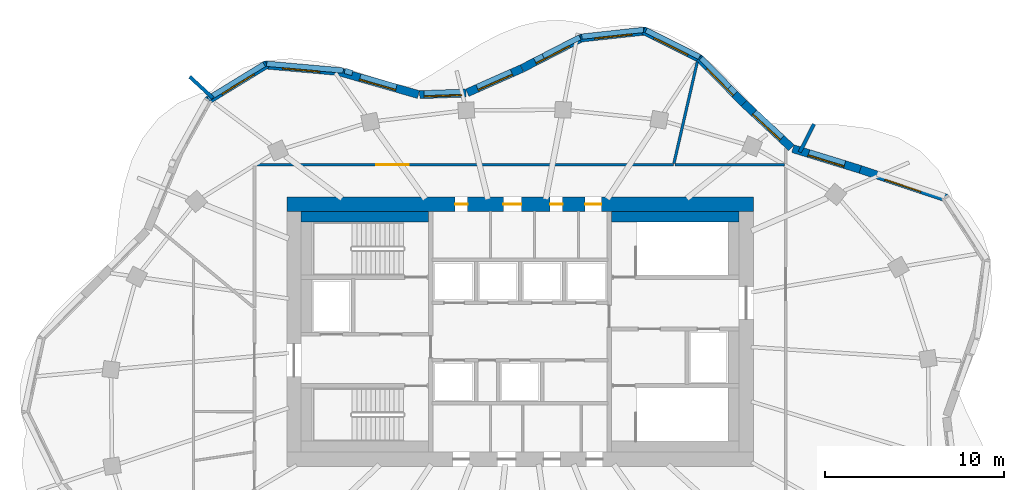
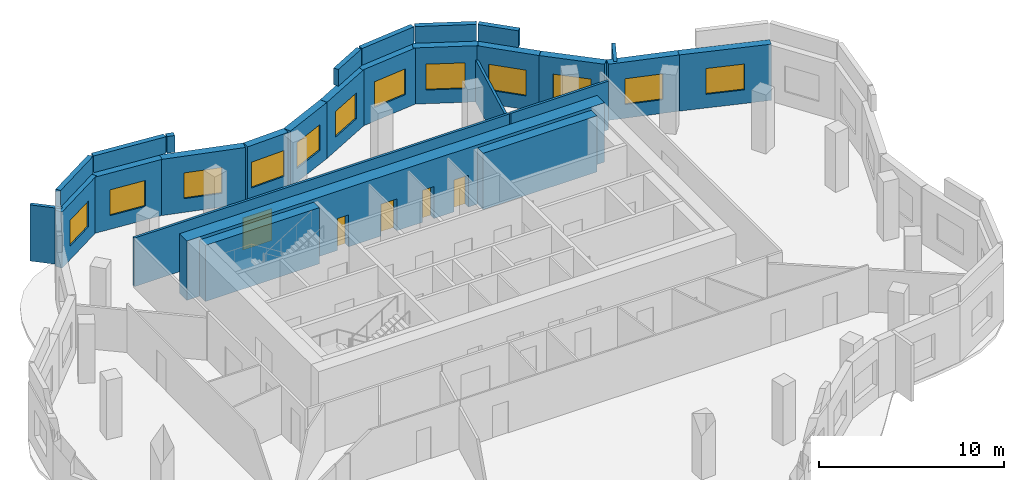
# One storey, part 7 of 9: 27 walls, 12 windows, 5 doors, 17 openings.
"""IFC4 building model written with IfcOpenShell, lengths in metres."""

from ifc_helpers import new_model, si_unit, direction, frame, frame_2d, origin, place, context, subcontext, project, spatial, rectangle, extrude, material, layer, layer_set, type_object, element, fill, save


model = new_model("IFC4")

# Units and contexts
model_context = context("Model", 3, precision=1e-05, world=origin(), true_north=direction((0.0, 1.0)))
body_context = subcontext(model_context, "Body", "Model", "MODEL_VIEW")
ifc_project = project(units=[si_unit("LENGTHUNIT", "METRE"), si_unit("AREAUNIT", "SQUARE_METRE"), si_unit("VOLUMEUNIT", "CUBIC_METRE"), si_unit("PLANEANGLEUNIT", "RADIAN"), si_unit("MASSUNIT", "GRAM", prefix="KILO")], contexts=[model_context])

# Site, building, storey
site_placement = place(None, origin())
site = spatial("IfcSite", under=ifc_project, at=site_placement, CompositionType="ELEMENT")
building_placement = place(site_placement, origin())
building = spatial("IfcBuilding", under=site, at=building_placement, Name="Rubra Terraces Tower", CompositionType="ELEMENT")
storey_placement = place(building_placement, frame((0.0, 0.0, 303.89990234375)))
storey = spatial("IfcBuildingStorey", under=building, at=storey_placement, Name="L75", CompositionType="ELEMENT", Elevation=303.89990234375)

# Wall, opening, window
ifc_material_1 = material(Name="Brick masonry red-brown", Category="masonry")
ifc_layer_1 = layer(ifc_material_1, 0.449951171875)
ifc_layer_set_1 = layer_set([ifc_layer_1], Name="Brick masonry red-brown")
wall_type_1 = type_object("IfcWallType", Name="Brick facade wall 450", PredefinedType="SOLIDWALL", material=ifc_layer_set_1)
wall_1_placement = place(storey_placement, frame((23.769775390625, 11.93798828125, 0.0), z_axis=(0.0, 0.0, 1.0), x_axis=(-0.948673679101, 0.316256621402, 0.0)))
wall_1 = element("IfcWall", 1, at=wall_1_placement, inside=storey, type_object=wall_type_1, Name="Facade wall L75 bay 4", PredefinedType="SOLIDWALL", context=body_context, shape_type="SweptSolid", body=[
    extrude(rectangle(XDim=5.076416015625, YDim=0.449951171875, at=frame_2d((2.5380859375, 0.0))), origin(), (0.0, 0.0, 1.0), 3.7001953125),
])
opening_1_placement = place(wall_1_placement, frame((1.48828125, 0.0, 0.89990234375)))
opening_1 = element("IfcOpeningElement", 2, at=opening_1_placement, cuts=wall_1, Name="Opening W1Y", PredefinedType="OPENING", context=body_context, shape_type="SweptSolid", body=[
    extrude(rectangle(XDim=2.10009765625, YDim=1.699951171875, at=frame_2d((1.050048828125, 0.85009765625))), frame((0.0, 0.23486328125, 0.0), z_axis=(0.0, -1.0, 0.0), x_axis=(1.0, 0.0, 0.0)), (0.0, 0.0, 1.0), 0.469970703125),
])
ifc_material_2 = material(Name="Clear glass in aluminium frame", Category="aluminium")
window_type = type_object("IfcWindowType", Name="Fixed deep-set window under crown ring girder 2100 x 1700", PartitioningType="SINGLE_PANEL", PredefinedType="WINDOW", material=ifc_material_2)
window_1_placement = place(opening_1_placement, origin())
window_1 = element("IfcWindow", 3, at=window_1_placement, inside=storey, type_object=window_type, Name="Window L75 bay 4", OverallHeight=1.699951171875, OverallWidth=2.10009765625, PartitioningType="SINGLE_PANEL", PredefinedType="WINDOW", context=body_context, shape_type="SweptSolid", body=[
    extrude(rectangle(XDim=2.10009765625, YDim=1.699951171875, at=frame_2d((1.050048828125, 0.85009765625))), frame((0.0, 0.135009765625, 0.0), z_axis=(0.0, -1.0, 0.0), x_axis=(1.0, 0.0, 0.0)), (0.0, 0.0, 1.0), 0.06005859375),
])
fill(opening_1, window_1)

wall_2_placement = place(storey_placement, frame((18.95751953125, 13.542236328125, 0.0), z_axis=(0.0, 0.0, 1.0), x_axis=(-0.955792437529, 0.294042201668, 0.0)))
wall_2 = element("IfcWall", 4, at=wall_2_placement, inside=storey, type_object=wall_type_1, Name="Facade wall L75 bay 5", PredefinedType="SOLIDWALL", context=body_context, shape_type="SweptSolid", body=[
    extrude(rectangle(XDim=3.9306640625, YDim=0.449951171875, at=frame_2d((1.96533203125, 0.0))), origin(), (0.0, 0.0, 1.0), 3.7001953125),
])
opening_2_placement = place(wall_2_placement, frame((0.915283203125, 0.0, 0.89990234375)))
opening_2 = element("IfcOpeningElement", 5, at=opening_2_placement, cuts=wall_2, Name="Opening W1Y", PredefinedType="OPENING", context=body_context, shape_type="SweptSolid", body=[
    extrude(rectangle(XDim=2.10009765625, YDim=1.699951171875, at=frame_2d((1.050048828125, 0.85009765625))), frame((0.0, 0.23486328125, 0.0), z_axis=(0.0, -1.0, 0.0), x_axis=(1.0, 0.0, 0.0)), (0.0, 0.0, 1.0), 0.469970703125),
])
window_2_placement = place(opening_2_placement, origin())
window_2 = element("IfcWindow", 6, at=window_2_placement, inside=storey, type_object=window_type, Name="Window L75 bay 5", OverallHeight=1.699951171875, OverallWidth=2.10009765625, PartitioningType="SINGLE_PANEL", PredefinedType="WINDOW", context=body_context, shape_type="SweptSolid", body=[
    extrude(rectangle(XDim=2.10009765625, YDim=1.699951171875, at=frame_2d((1.050048828125, 0.85009765625))), frame((0.0, 0.135009765625, 0.0), z_axis=(0.0, -1.0, 0.0), x_axis=(1.0, 0.0, 0.0)), (0.0, 0.0, 1.0), 0.06005859375),
])
fill(opening_2, window_2)

wall_3_placement = place(storey_placement, frame((15.120849609375, 14.744873046875, 0.0), z_axis=(0.0, 0.0, 1.0), x_axis=(-0.730618259172, 0.68278617397, 0.0)))
wall_3 = element("IfcWall", 7, at=wall_3_placement, inside=storey, type_object=wall_type_1, Name="Facade wall L75 bay 6", PredefinedType="SOLIDWALL", context=body_context, shape_type="SweptSolid", body=[
    extrude(rectangle(XDim=3.6240234375, YDim=0.449951171875, at=frame_2d((1.81201171875, 0.0))), origin(), (0.0, 0.0, 1.0), 3.7001953125),
])
opening_3_placement = place(wall_3_placement, frame((0.76220703125, 0.0, 0.89990234375)))
opening_3 = element("IfcOpeningElement", 8, at=opening_3_placement, cuts=wall_3, Name="Opening W1Y", PredefinedType="OPENING", context=body_context, shape_type="SweptSolid", body=[
    extrude(rectangle(XDim=2.10009765625, YDim=1.699951171875, at=frame_2d((1.050048828125, 0.85009765625))), frame((0.0, 0.23486328125, 0.0), z_axis=(0.0, -1.0, 0.0), x_axis=(1.0, 0.0, 0.0)), (0.0, 0.0, 1.0), 0.469970703125),
])
window_3_placement = place(opening_3_placement, origin())
window_3 = element("IfcWindow", 9, at=window_3_placement, inside=storey, type_object=window_type, Name="Window L75 bay 6", OverallHeight=1.699951171875, OverallWidth=2.10009765625, PartitioningType="SINGLE_PANEL", PredefinedType="WINDOW", context=body_context, shape_type="SweptSolid", body=[
    extrude(rectangle(XDim=2.10009765625, YDim=1.699951171875, at=frame_2d((1.050048828125, 0.85009765625))), frame((0.0, 0.135009765625, 0.0), z_axis=(0.0, -1.0, 0.0), x_axis=(1.0, 0.0, 0.0)), (0.0, 0.0, 1.0), 0.06005859375),
])
fill(opening_3, window_3)

wall_4_placement = place(storey_placement, frame((12.46630859375, 17.2255859375, 0.0), z_axis=(0.0, 0.0, 1.0), x_axis=(-0.701875966769, 0.712299183821, 0.0)))
wall_4 = element("IfcWall", 10, at=wall_4_placement, inside=storey, type_object=wall_type_1, Name="Facade wall L75 bay 7", PredefinedType="SOLIDWALL", context=body_context, shape_type="SweptSolid", body=[
    extrude(rectangle(XDim=3.536865234375, YDim=0.449951171875, at=frame_2d((1.7685546875, 0.0))), origin(), (0.0, 0.0, 1.0), 3.7001953125),
])
opening_4_placement = place(wall_4_placement, frame((0.71826171875, 0.0, 0.89990234375)))
opening_4 = element("IfcOpeningElement", 11, at=opening_4_placement, cuts=wall_4, Name="Opening W1Y", PredefinedType="OPENING", context=body_context, shape_type="SweptSolid", body=[
    extrude(rectangle(XDim=2.10009765625, YDim=1.699951171875, at=frame_2d((1.050048828125, 0.85009765625))), frame((0.0, 0.23486328125, 0.0), z_axis=(0.0, -1.0, 0.0), x_axis=(1.0, 0.0, 0.0)), (0.0, 0.0, 1.0), 0.469970703125),
])
window_4_placement = place(opening_4_placement, origin())
window_4 = element("IfcWindow", 12, at=window_4_placement, inside=storey, type_object=window_type, Name="Window L75 bay 7", OverallHeight=1.699951171875, OverallWidth=2.10009765625, PartitioningType="SINGLE_PANEL", PredefinedType="WINDOW", context=body_context, shape_type="SweptSolid", body=[
    extrude(rectangle(XDim=2.10009765625, YDim=1.699951171875, at=frame_2d((1.050048828125, 0.85009765625))), frame((0.0, 0.135009765625, 0.0), z_axis=(0.0, -1.0, 0.0), x_axis=(1.0, 0.0, 0.0)), (0.0, 0.0, 1.0), 0.06005859375),
])
fill(opening_4, window_4)

wall_5_placement = place(storey_placement, frame((10.041748046875, 19.70361328125, 0.0), z_axis=(0.0, 0.0, 1.0), x_axis=(-0.895268695224, 0.445526613517, 0.0)))
wall_5 = element("IfcWall", 13, at=wall_5_placement, inside=storey, type_object=wall_type_1, Name="Facade wall L75 bay 8", PredefinedType="SOLIDWALL", context=body_context, shape_type="SweptSolid", body=[
    extrude(rectangle(XDim=3.532958984375, YDim=0.449951171875, at=frame_2d((1.7666015625, 0.0))), origin(), (0.0, 0.0, 1.0), 3.7001953125),
])
opening_5_placement = place(wall_5_placement, frame((0.716552734375, 0.0, 0.89990234375)))
opening_5 = element("IfcOpeningElement", 14, at=opening_5_placement, cuts=wall_5, Name="Opening W1Y", PredefinedType="OPENING", context=body_context, shape_type="SweptSolid", body=[
    extrude(rectangle(XDim=2.10009765625, YDim=1.699951171875, at=frame_2d((1.050048828125, 0.85009765625))), frame((0.0, 0.23486328125, 0.0), z_axis=(0.0, -1.0, 0.0), x_axis=(1.0, 0.0, 0.0)), (0.0, 0.0, 1.0), 0.469970703125),
])
window_5_placement = place(opening_5_placement, origin())
window_5 = element("IfcWindow", 15, at=window_5_placement, inside=storey, type_object=window_type, Name="Window L75 bay 8", OverallHeight=1.699951171875, OverallWidth=2.10009765625, PartitioningType="SINGLE_PANEL", PredefinedType="WINDOW", context=body_context, shape_type="SweptSolid", body=[
    extrude(rectangle(XDim=2.10009765625, YDim=1.699951171875, at=frame_2d((1.050048828125, 0.85009765625))), frame((0.0, 0.135009765625, 0.0), z_axis=(0.0, -1.0, 0.0), x_axis=(1.0, 0.0, 0.0)), (0.0, 0.0, 1.0), 0.06005859375),
])
fill(opening_5, window_5)

wall_6_placement = place(storey_placement, frame((7.00341796875, 21.25537109375, 0.0), z_axis=(0.0, 0.0, 1.0), x_axis=(-0.99407653264, -0.108682322638, 0.0)))
wall_6 = element("IfcWall", 16, at=wall_6_placement, inside=storey, type_object=wall_type_1, Name="Facade wall L75 bay 9", PredefinedType="SOLIDWALL", context=body_context, shape_type="SweptSolid", body=[
    extrude(rectangle(XDim=3.66162109375, YDim=0.449951171875, at=frame_2d((1.830810546875, 0.0))), origin(), (0.0, 0.0, 1.0), 3.7001953125),
])
opening_6_placement = place(wall_6_placement, frame((0.78076171875, 0.0, 0.89990234375)))
opening_6 = element("IfcOpeningElement", 17, at=opening_6_placement, cuts=wall_6, Name="Opening W1Y", PredefinedType="OPENING", context=body_context, shape_type="SweptSolid", body=[
    extrude(rectangle(XDim=2.10009765625, YDim=1.699951171875, at=frame_2d((1.050048828125, 0.85009765625))), frame((0.0, 0.23486328125, 0.0), z_axis=(0.0, -1.0, 0.0), x_axis=(1.0, 0.0, 0.0)), (0.0, 0.0, 1.0), 0.469970703125),
])
window_6_placement = place(opening_6_placement, origin())
window_6 = element("IfcWindow", 18, at=window_6_placement, inside=storey, type_object=window_type, Name="Window L75 bay 9", OverallHeight=1.699951171875, OverallWidth=2.10009765625, PartitioningType="SINGLE_PANEL", PredefinedType="WINDOW", context=body_context, shape_type="SweptSolid", body=[
    extrude(rectangle(XDim=2.10009765625, YDim=1.699951171875, at=frame_2d((1.050048828125, 0.85009765625))), frame((0.0, 0.135009765625, 0.0), z_axis=(0.0, -1.0, 0.0), x_axis=(1.0, 0.0, 0.0)), (0.0, 0.0, 1.0), 0.06005859375),
])
fill(opening_6, window_6)

wall_7_placement = place(storey_placement, frame((3.439697265625, 20.879638671875, 0.0), z_axis=(0.0, 0.0, 1.0), x_axis=(-0.889471529144, -0.456990589446, 0.0)))
wall_7 = element("IfcWall", 19, at=wall_7_placement, inside=storey, type_object=wall_type_1, Name="Facade wall L75 bay 10", PredefinedType="SOLIDWALL", context=body_context, shape_type="SweptSolid", body=[
    extrude(rectangle(XDim=3.7353515625, YDim=0.449951171875, at=frame_2d((1.86767578125, 0.0))), origin(), (0.0, 0.0, 1.0), 3.7001953125),
])
opening_7_placement = place(wall_7_placement, frame((0.817626953125, 0.0, 0.89990234375)))
opening_7 = element("IfcOpeningElement", 20, at=opening_7_placement, cuts=wall_7, Name="Opening W1Y", PredefinedType="OPENING", context=body_context, shape_type="SweptSolid", body=[
    extrude(rectangle(XDim=2.10009765625, YDim=1.699951171875, at=frame_2d((1.050048828125, 0.85009765625))), frame((0.0, 0.23486328125, 0.0), z_axis=(0.0, -1.0, 0.0), x_axis=(1.0, 0.0, 0.0)), (0.0, 0.0, 1.0), 0.469970703125),
])
window_7_placement = place(opening_7_placement, origin())
window_7 = element("IfcWindow", 21, at=window_7_placement, inside=storey, type_object=window_type, Name="Window L75 bay 10", OverallHeight=1.699951171875, OverallWidth=2.10009765625, PartitioningType="SINGLE_PANEL", PredefinedType="WINDOW", context=body_context, shape_type="SweptSolid", body=[
    extrude(rectangle(XDim=2.10009765625, YDim=1.699951171875, at=frame_2d((1.050048828125, 0.85009765625))), frame((0.0, 0.135009765625, 0.0), z_axis=(0.0, -1.0, 0.0), x_axis=(1.0, 0.0, 0.0)), (0.0, 0.0, 1.0), 0.06005859375),
])
fill(opening_7, window_7)

wall_8_placement = place(storey_placement, frame((0.105224609375, 19.1669921875, 0.0), z_axis=(0.0, 0.0, 1.0), x_axis=(-0.91414046241, -0.405397601109, 0.0)))
wall_8 = element("IfcWall", 22, at=wall_8_placement, inside=storey, type_object=wall_type_1, Name="Facade wall L75 bay 11", PredefinedType="SOLIDWALL", context=body_context, shape_type="SweptSolid", body=[
    extrude(rectangle(XDim=3.333251953125, YDim=0.449951171875, at=frame_2d((1.66650390625, 0.0))), origin(), (0.0, 0.0, 1.0), 3.7001953125),
])
opening_8_placement = place(wall_8_placement, frame((0.61669921875, 0.0, 0.89990234375)))
opening_8 = element("IfcOpeningElement", 23, at=opening_8_placement, cuts=wall_8, Name="Opening W1Y", PredefinedType="OPENING", context=body_context, shape_type="SweptSolid", body=[
    extrude(rectangle(XDim=2.10009765625, YDim=1.699951171875, at=frame_2d((1.050048828125, 0.85009765625))), frame((0.0, 0.23486328125, 0.0), z_axis=(0.0, -1.0, 0.0), x_axis=(1.0, 0.0, 0.0)), (0.0, 0.0, 1.0), 0.469970703125),
])
window_8_placement = place(opening_8_placement, origin())
window_8 = element("IfcWindow", 24, at=window_8_placement, inside=storey, type_object=window_type, Name="Window L75 bay 11", OverallHeight=1.699951171875, OverallWidth=2.10009765625, PartitioningType="SINGLE_PANEL", PredefinedType="WINDOW", context=body_context, shape_type="SweptSolid", body=[
    extrude(rectangle(XDim=2.10009765625, YDim=1.699951171875, at=frame_2d((1.050048828125, 0.85009765625))), frame((0.0, 0.135009765625, 0.0), z_axis=(0.0, -1.0, 0.0), x_axis=(1.0, 0.0, 0.0)), (0.0, 0.0, 1.0), 0.06005859375),
])
fill(opening_8, window_8)

wall_9_placement = place(storey_placement, frame((-3.022216796875, 17.797607421875, 0.0), z_axis=(0.0, 0.0, 1.0), x_axis=(-0.999339560591, -0.036337895349, 0.0)))
wall_9 = element("IfcWall", 25, at=wall_9_placement, inside=storey, type_object=wall_type_1, Name="Facade wall L75 bay 12", PredefinedType="SOLIDWALL", context=body_context, shape_type="SweptSolid", body=[
    extrude(rectangle(XDim=2.5732421875, YDim=0.449951171875, at=frame_2d((1.28662109375, 0.0))), origin(), (0.0, 0.0, 1.0), 3.7001953125),
])
opening_9_placement = place(wall_9_placement, frame((0.236572265625, 0.0, 0.89990234375)))
opening_9 = element("IfcOpeningElement", 26, at=opening_9_placement, cuts=wall_9, Name="Opening W1Y", PredefinedType="OPENING", context=body_context, shape_type="SweptSolid", body=[
    extrude(rectangle(XDim=2.10009765625, YDim=1.699951171875, at=frame_2d((1.050048828125, 0.85009765625))), frame((0.0, 0.23486328125, 0.0), z_axis=(0.0, -1.0, 0.0), x_axis=(1.0, 0.0, 0.0)), (0.0, 0.0, 1.0), 0.469970703125),
])
window_9_placement = place(opening_9_placement, origin())
window_9 = element("IfcWindow", 27, at=window_9_placement, inside=storey, type_object=window_type, Name="Window L75 bay 12", OverallHeight=1.699951171875, OverallWidth=2.10009765625, PartitioningType="SINGLE_PANEL", PredefinedType="WINDOW", context=body_context, shape_type="SweptSolid", body=[
    extrude(rectangle(XDim=2.10009765625, YDim=1.699951171875, at=frame_2d((1.050048828125, 0.85009765625))), frame((0.0, 0.135009765625, 0.0), z_axis=(0.0, -1.0, 0.0), x_axis=(1.0, 0.0, 0.0)), (0.0, 0.0, 1.0), 0.06005859375),
])
fill(opening_9, window_9)

wall_10_placement = place(storey_placement, frame((-5.6640625, 17.712646484375, 0.0), z_axis=(0.0, 0.0, 1.0), x_axis=(-0.961108031684, 0.276172684083, 0.0)))
wall_10 = element("IfcWall", 28, at=wall_10_placement, inside=storey, type_object=wall_type_1, Name="Facade wall L75 bay 13", PredefinedType="SOLIDWALL", context=body_context, shape_type="SweptSolid", body=[
    extrude(rectangle(XDim=4.686279296875, YDim=0.449951171875, at=frame_2d((2.34326171875, 0.0))), origin(), (0.0, 0.0, 1.0), 3.7001953125),
])
opening_10_placement = place(wall_10_placement, frame((1.293212890625, 0.0, 0.89990234375)))
opening_10 = element("IfcOpeningElement", 29, at=opening_10_placement, cuts=wall_10, Name="Opening W1Y", PredefinedType="OPENING", context=body_context, shape_type="SweptSolid", body=[
    extrude(rectangle(XDim=2.10009765625, YDim=1.699951171875, at=frame_2d((1.050048828125, 0.85009765625))), frame((0.0, 0.23486328125, 0.0), z_axis=(0.0, -1.0, 0.0), x_axis=(1.0, 0.0, 0.0)), (0.0, 0.0, 1.0), 0.469970703125),
])
window_10_placement = place(opening_10_placement, origin())
window_10 = element("IfcWindow", 30, at=window_10_placement, inside=storey, type_object=window_type, Name="Window L75 bay 13", OverallHeight=1.699951171875, OverallWidth=2.10009765625, PartitioningType="SINGLE_PANEL", PredefinedType="WINDOW", context=body_context, shape_type="SweptSolid", body=[
    extrude(rectangle(XDim=2.10009765625, YDim=1.699951171875, at=frame_2d((1.050048828125, 0.85009765625))), frame((0.0, 0.135009765625, 0.0), z_axis=(0.0, -1.0, 0.0), x_axis=(1.0, 0.0, 0.0)), (0.0, 0.0, 1.0), 0.06005859375),
])
fill(opening_10, window_10)

wall_11_placement = place(storey_placement, frame((-10.125732421875, 18.9990234375, 0.0), z_axis=(0.0, 0.0, 1.0), x_axis=(-0.996031087117, 0.089006030672, 0.0)))
wall_11 = element("IfcWall", 31, at=wall_11_placement, inside=storey, type_object=wall_type_1, Name="Facade wall L75 bay 14", PredefinedType="SOLIDWALL", context=body_context, shape_type="SweptSolid", body=[
    extrude(rectangle(XDim=4.14453125, YDim=0.449951171875, at=frame_2d((2.072265625, 0.0))), origin(), (0.0, 0.0, 1.0), 3.7001953125),
])
opening_11_placement = place(wall_11_placement, frame((1.022216796875, 0.0, 0.89990234375)))
opening_11 = element("IfcOpeningElement", 32, at=opening_11_placement, cuts=wall_11, Name="Opening W1Y", PredefinedType="OPENING", context=body_context, shape_type="SweptSolid", body=[
    extrude(rectangle(XDim=2.10009765625, YDim=1.699951171875, at=frame_2d((1.050048828125, 0.85009765625))), frame((0.0, 0.23486328125, 0.0), z_axis=(0.0, -1.0, 0.0), x_axis=(1.0, 0.0, 0.0)), (0.0, 0.0, 1.0), 0.469970703125),
])
window_11_placement = place(opening_11_placement, origin())
window_11 = element("IfcWindow", 33, at=window_11_placement, inside=storey, type_object=window_type, Name="Window L75 bay 14", OverallHeight=1.699951171875, OverallWidth=2.10009765625, PartitioningType="SINGLE_PANEL", PredefinedType="WINDOW", context=body_context, shape_type="SweptSolid", body=[
    extrude(rectangle(XDim=2.10009765625, YDim=1.699951171875, at=frame_2d((1.050048828125, 0.85009765625))), frame((0.0, 0.135009765625, 0.0), z_axis=(0.0, -1.0, 0.0), x_axis=(1.0, 0.0, 0.0)), (0.0, 0.0, 1.0), 0.06005859375),
])
fill(opening_11, window_11)

wall_12_placement = place(storey_placement, frame((-14.116455078125, 19.400146484375, 0.0), z_axis=(0.0, 0.0, 1.0), x_axis=(-0.852622865325, -0.522526793117, 0.0)))
wall_12 = element("IfcWall", 34, at=wall_12_placement, inside=storey, type_object=wall_type_1, Name="Facade wall L75 bay 15", PredefinedType="SOLIDWALL", context=body_context, shape_type="SweptSolid", body=[
    extrude(rectangle(XDim=3.896240234375, YDim=0.449951171875, at=frame_2d((1.9482421875, 0.0))), origin(), (0.0, 0.0, 1.0), 3.7001953125),
])
opening_12_placement = place(wall_12_placement, frame((0.898193359375, 0.0, 0.89990234375)))
opening_12 = element("IfcOpeningElement", 35, at=opening_12_placement, cuts=wall_12, Name="Opening W1Y", PredefinedType="OPENING", context=body_context, shape_type="SweptSolid", body=[
    extrude(rectangle(XDim=2.10009765625, YDim=1.699951171875, at=frame_2d((1.050048828125, 0.85009765625))), frame((0.0, 0.23486328125, 0.0), z_axis=(0.0, -1.0, 0.0), x_axis=(1.0, 0.0, 0.0)), (0.0, 0.0, 1.0), 0.469970703125),
])
window_12_placement = place(opening_12_placement, origin())
window_12 = element("IfcWindow", 36, at=window_12_placement, inside=storey, type_object=window_type, Name="Window L75 bay 15", OverallHeight=1.699951171875, OverallWidth=2.10009765625, PartitioningType="SINGLE_PANEL", PredefinedType="WINDOW", context=body_context, shape_type="SweptSolid", body=[
    extrude(rectangle(XDim=2.10009765625, YDim=1.699951171875, at=frame_2d((1.050048828125, 0.85009765625))), frame((0.0, 0.135009765625, 0.0), z_axis=(0.0, -1.0, 0.0), x_axis=(1.0, 0.0, 0.0)), (0.0, 0.0, 1.0), 0.06005859375),
])
fill(opening_12, window_12)

# Walls
ifc_layer_2 = layer(ifc_material_1, 0.300048828125)
ifc_layer_set_2 = layer_set([ifc_layer_2], Name="Brick masonry red-brown")
wall_type_2 = type_object("IfcWallType", Name="Brick parapet 300", PredefinedType="PARAPET", material=ifc_layer_set_2)
wall_13_placement = place(storey_placement, frame((11.68603515625, 18.12451171875, 3.900146484375), z_axis=(0.0, 0.0, 1.0), x_axis=(-0.701929879222, 0.712246056259, 0.0)))
element("IfcWall", 37, at=wall_13_placement, inside=storey, type_object=wall_type_2, Name="Parapet L75 bay 7", PredefinedType="PARAPET", context=body_context, shape_type="SweptSolid", body=[
    extrude(rectangle(XDim=2.27197265625, YDim=0.300048828125, at=frame_2d((1.135986328125, 0.0))), origin(), (0.0, 0.0, 1.0), 1.099853515625),
])
wall_14_placement = place(storey_placement, frame((10.00341796875, 19.806396484375, 3.900146484375), z_axis=(0.0, 0.0, 1.0), x_axis=(-0.895289404401, 0.445484996793, 0.0)))
element("IfcWall", 38, at=wall_14_placement, inside=storey, type_object=wall_type_2, Name="Parapet L75 bay 8", PredefinedType="PARAPET", context=body_context, shape_type="SweptSolid", body=[
    extrude(rectangle(XDim=3.334716796875, YDim=0.300048828125, at=frame_2d((1.66748046875, 0.0))), origin(), (0.0, 0.0, 1.0), 1.099853515625),
])
wall_15_placement = place(storey_placement, frame((6.8779296875, 21.317138671875, 3.900146484375), z_axis=(0.0, 0.0, 1.0), x_axis=(-0.994072526282, -0.108718961045, 0.0)))
element("IfcWall", 39, at=wall_15_placement, inside=storey, type_object=wall_type_2, Name="Parapet L75 bay 9", PredefinedType="PARAPET", context=body_context, shape_type="SweptSolid", body=[
    extrude(rectangle(XDim=3.458251953125, YDim=0.300048828125, at=frame_2d((1.72900390625, 0.0))), origin(), (0.0, 0.0, 1.0), 1.099853515625),
])
wall_16_placement = place(storey_placement, frame((3.33154296875, 20.908447265625, 3.900146484375), z_axis=(0.0, 0.0, 1.0), x_axis=(-0.889480933052, -0.456972285524, 0.0)))
element("IfcWall", 40, at=wall_16_placement, inside=storey, type_object=wall_type_2, Name="Parapet L75 bay 10", PredefinedType="PARAPET", context=body_context, shape_type="SweptSolid", body=[
    extrude(rectangle(XDim=2.305419921875, YDim=0.300048828125, at=frame_2d((1.15283203125, 0.0))), origin(), (0.0, 0.0, 1.0), 1.099853515625),
])
wall_17_placement = place(storey_placement, frame((-9.3427734375, 18.912353515625, 3.900146484375), z_axis=(0.0, 0.0, 1.0), x_axis=(-0.961082218667, 0.276262500103, 0.0)))
element("IfcWall", 41, at=wall_17_placement, inside=storey, type_object=wall_type_2, Name="Parapet L75 bay 13", PredefinedType="PARAPET", context=body_context, shape_type="SweptSolid", body=[
    extrude(rectangle(XDim=0.439208984375, YDim=0.300048828125, at=frame_2d((0.2197265625, 0.0))), origin(), (0.0, 0.0, 1.0), 1.099853515625),
])
wall_18_placement = place(storey_placement, frame((-9.851806640625, 19.0498046875, 3.900146484375), z_axis=(0.0, 0.0, 1.0), x_axis=(-0.996029858658, 0.089019776805, 0.0)))
element("IfcWall", 42, at=wall_18_placement, inside=storey, type_object=wall_type_2, Name="Parapet L75 bay 14", PredefinedType="PARAPET", context=body_context, shape_type="SweptSolid", body=[
    extrude(rectangle(XDim=4.283935546875, YDim=0.300048828125, at=frame_2d((2.14208984375, 0.0))), origin(), (0.0, 0.0, 1.0), 1.099853515625),
])
wall_19_placement = place(storey_placement, frame((-14.265869140625, 19.396484375, 3.900146484375), z_axis=(0.0, 0.0, 1.0), x_axis=(-0.852626191256, -0.522521366055, 0.0)))
element("IfcWall", 43, at=wall_19_placement, inside=storey, type_object=wall_type_2, Name="Parapet L75 bay 15", PredefinedType="PARAPET", context=body_context, shape_type="SweptSolid", body=[
    extrude(rectangle(XDim=3.657958984375, YDim=0.300048828125, at=frame_2d((1.8291015625, 0.0))), origin(), (0.0, 0.0, 1.0), 1.099853515625),
])
ifc_layer_3 = layer(ifc_material_1, 0.199951171875)
ifc_layer_set_3 = layer_set([ifc_layer_3], Name="Brick masonry red-brown")
wall_type_3 = type_object("IfcWallType", Name="Brick wind fin 200", PredefinedType="SOLIDWALL", material=ifc_layer_set_3)
for number, where, z_axis, x_axis, name in (
    (44, (15.5869140625, 14.507080078125, 0.0), (0.0, 0.0, 1.0), (0.452117231361, 0.89195852432, 0.0), "Wind fin L75 3"),
    (45, (-17.118896484375, 17.52294921875, 0.0), (0.0, 0.0, 1.0), (-0.737866019047, 0.674947211221, 0.0), "Wind fin L75 8"),
):
    element("IfcWall", number, at=place(storey_placement, frame(where, z_axis=z_axis, x_axis=x_axis)), inside=storey, type_object=wall_type_3, Name=name, PredefinedType="SOLIDWALL", context=body_context, shape_type="SweptSolid", body=[
        extrude(rectangle(XDim=1.75, YDim=0.199951171875, at=frame_2d((0.875, 0.0))), origin(), (0.0, 0.0, 1.0), 3.7001953125),
    ])

# Wall, openings, doors
ifc_material_3 = material(Name="Concrete C50", Category="concrete")
ifc_layer_4 = layer(ifc_material_3, 0.800048828125)
ifc_layer_set_4 = layer_set([ifc_layer_4], Name="Concrete C50")
wall_type_4 = type_object("IfcWallType", Name="CORE WALL 800 C50", PredefinedType="SHEAR", material=ifc_layer_set_4)
wall_20_placement = place(storey_placement, frame((-13.0, 11.60009765625, 0.0), z_axis=(0.0, 0.0, 1.0), x_axis=(1.0, 0.0, 0.0)))
wall_20 = element("IfcWall", 46, at=wall_20_placement, inside=storey, type_object=wall_type_4, Name="CORE WALL N L75", PredefinedType="SHEAR", context=body_context, shape_type="SweptSolid", body=[
    extrude(rectangle(XDim=26.0, YDim=0.800048828125, at=frame_2d((13.0, 0.0))), origin(), (0.0, 0.0, 1.0), 3.900146484375),
])
opening_13_placement = place(wall_20_placement, frame((9.375, 0.0, 0.0)))
opening_13 = element("IfcOpeningElement", 47, at=opening_13_placement, cuts=wall_20, Name="Opening L75.C25", PredefinedType="OPENING", context=body_context, shape_type="SweptSolid", body=[
    extrude(rectangle(XDim=0.699951171875, YDim=2.10009765625, at=frame_2d((0.35009765625, 1.050048828125))), frame((0.0, 0.409912109375, 0.0), z_axis=(0.0, -1.0, 0.0), x_axis=(1.0, 0.0, 0.0)), (0.0, 0.0, 1.0), 0.820068359375),
])
opening_14_placement = place(wall_20_placement, frame((12.074951171875, 0.0, 0.0)))
opening_14 = element("IfcOpeningElement", 48, at=opening_14_placement, cuts=wall_20, Name="Opening L75.C26", PredefinedType="OPENING", context=body_context, shape_type="SweptSolid", body=[
    extrude(rectangle(XDim=1.0, YDim=2.10009765625, at=frame_2d((0.5, 1.050048828125))), frame((0.0, 0.409912109375, 0.0), z_axis=(0.0, -1.0, 0.0), x_axis=(1.0, 0.0, 0.0)), (0.0, 0.0, 1.0), 0.820068359375),
])
opening_15_placement = place(wall_20_placement, frame((14.675048828125, 0.0, 0.0)))
opening_15 = element("IfcOpeningElement", 49, at=opening_15_placement, cuts=wall_20, Name="Opening L75.C27", PredefinedType="OPENING", context=body_context, shape_type="SweptSolid", body=[
    extrude(rectangle(XDim=0.699951171875, YDim=2.10009765625, at=frame_2d((0.35009765625, 1.050048828125))), frame((0.0, 0.409912109375, 0.0), z_axis=(0.0, -1.0, 0.0), x_axis=(1.0, 0.0, 0.0)), (0.0, 0.0, 1.0), 0.820068359375),
])
opening_16_placement = place(wall_20_placement, frame((16.625, 0.0, 0.0)))
opening_16 = element("IfcOpeningElement", 50, at=opening_16_placement, cuts=wall_20, Name="Opening L75.C28", PredefinedType="OPENING", context=body_context, shape_type="SweptSolid", body=[
    extrude(rectangle(XDim=0.89990234375, YDim=2.10009765625, at=frame_2d((0.449951171875, 1.050048828125))), frame((0.0, 0.409912109375, 0.0), z_axis=(0.0, -1.0, 0.0), x_axis=(1.0, 0.0, 0.0)), (0.0, 0.0, 1.0), 0.820068359375),
])
ifc_material_4 = material(Name="Painted steel", Category="steel")
door_type_1 = type_object("IfcDoorType", Name="Fire door 1000x2100 single", OperationType="NOTDEFINED", PredefinedType="DOOR", material=ifc_material_4)
door_1_placement = place(opening_14_placement, origin())
door_1 = element("IfcDoor", 51, at=door_1_placement, inside=storey, type_object=door_type_1, Name="General store door", OperationType="SINGLE_SWING_RIGHT", OverallHeight=2.10009765625, OverallWidth=1.0, PredefinedType="DOOR", context=body_context, shape_type="SweptSolid", body=[
    extrude(rectangle(XDim=1.0, YDim=2.10009765625, at=frame_2d((0.5, 1.050048828125))), frame((0.0, 0.02490234375, 0.0), z_axis=(0.0, -1.0, 0.0), x_axis=(1.0, 0.0, 0.0)), (0.0, 0.0, 1.0), 0.050048828125),
])
fill(opening_14, door_1)
door_type_2 = type_object("IfcDoorType", Name="Fire door 900x2100 single", OperationType="NOTDEFINED", PredefinedType="DOOR", material=ifc_material_4)
door_2_placement = place(opening_16_placement, origin())
door_2 = element("IfcDoor", 52, at=door_2_placement, inside=storey, type_object=door_type_2, Name="Cleaner's store door", OperationType="SINGLE_SWING_RIGHT", OverallHeight=2.10009765625, OverallWidth=0.89990234375, PredefinedType="DOOR", context=body_context, shape_type="SweptSolid", body=[
    extrude(rectangle(XDim=0.89990234375, YDim=2.10009765625, at=frame_2d((0.449951171875, 1.050048828125))), frame((0.0, 0.02490234375, 0.0), z_axis=(0.0, -1.0, 0.0), x_axis=(1.0, 0.0, 0.0)), (0.0, 0.0, 1.0), 0.050048828125),
])
fill(opening_16, door_2)
door_type_3 = type_object("IfcDoorType", Name="Riser access door 700x2100 single", OperationType="NOTDEFINED", PredefinedType="DOOR", material=ifc_material_4)
door_3_placement = place(opening_13_placement, origin())
door_3 = element("IfcDoor", 53, at=door_3_placement, inside=storey, type_object=door_type_3, Name="Telecoms room door", OperationType="SINGLE_SWING_LEFT", OverallHeight=2.10009765625, OverallWidth=0.699951171875, PredefinedType="DOOR", context=body_context, shape_type="SweptSolid", body=[
    extrude(rectangle(XDim=0.699951171875, YDim=2.10009765625, at=frame_2d((0.35009765625, 1.050048828125))), frame((0.0, 0.02490234375, 0.0), z_axis=(0.0, -1.0, 0.0), x_axis=(1.0, 0.0, 0.0)), (0.0, 0.0, 1.0), 0.050048828125),
])
fill(opening_13, door_3)
door_4_placement = place(opening_15_placement, origin())
door_4 = element("IfcDoor", 54, at=door_4_placement, inside=storey, type_object=door_type_3, Name="Electrical riser room door", OperationType="SINGLE_SWING_LEFT", OverallHeight=2.10009765625, OverallWidth=0.699951171875, PredefinedType="DOOR", context=body_context, shape_type="SweptSolid", body=[
    extrude(rectangle(XDim=0.699951171875, YDim=2.10009765625, at=frame_2d((0.35009765625, 1.050048828125))), frame((0.0, 0.02490234375, 0.0), z_axis=(0.0, -1.0, 0.0), x_axis=(1.0, 0.0, 0.0)), (0.0, 0.0, 1.0), 0.050048828125),
])
fill(opening_15, door_4)

# Wall, opening, door
ifc_material_5 = material(Name="Plasterboard on steel stud, mineral wool infill", Category="steel")
ifc_layer_5 = layer(ifc_material_5, 0.14990234375)
ifc_layer_set_5 = layer_set([ifc_layer_5], Name="Plasterboard on steel stud, mineral wool infill")
wall_type_5 = type_object("IfcWallType", Name="CORRIDOR PARTITION 150", PredefinedType="PARTITIONING", material=ifc_layer_set_5)
wall_21_placement = place(storey_placement, frame((8.5556640625, 13.800048828125, 0.0), z_axis=(0.0, 0.0, 1.0), x_axis=(-1.0, 0.0, 0.0)))
wall_21 = element("IfcWall", 55, at=wall_21_placement, inside=storey, type_object=wall_type_5, Name="PARTITION", PredefinedType="PARTITIONING", context=body_context, shape_type="SweptSolid", body=[
    extrude(rectangle(XDim=23.355712890625, YDim=0.14990234375, at=frame_2d((11.677734375, 0.0))), origin(), (0.0, 0.0, 1.0), 3.197998046875),
])
opening_17_placement = place(wall_21_placement, frame((14.77294921875, 0.0, 0.0)))
opening_17 = element("IfcOpeningElement", 56, at=opening_17_placement, cuts=wall_21, Name="Opening 75-101", PredefinedType="OPENING", context=body_context, shape_type="SweptSolid", body=[
    extrude(rectangle(XDim=1.800048828125, YDim=2.10009765625, at=frame_2d((0.89990234375, 1.050048828125))), frame((0.0, 0.0849609375, 0.0), z_axis=(0.0, -1.0, 0.0), x_axis=(1.0, 0.0, 0.0)), (0.0, 0.0, 1.0), 0.169921875),
])
ifc_material_6 = material(Name="Painted timber door leaf, double", Category="wood")
door_type_4 = type_object("IfcDoorType", Name="ROOM DOUBLE DOOR 1800 X 2100", OperationType="DOUBLE_DOOR_SINGLE_SWING", PredefinedType="DOOR", material=ifc_material_6)
door_5_placement = place(opening_17_placement, origin())
door_5 = element("IfcDoor", 57, at=door_5_placement, inside=storey, type_object=door_type_4, Name="DOOR 75-101", OperationType="DOUBLE_DOOR_SINGLE_SWING", OverallHeight=2.10009765625, OverallWidth=1.800048828125, PredefinedType="DOOR", context=body_context, shape_type="SweptSolid", body=[
    extrude(rectangle(XDim=1.800048828125, YDim=2.10009765625, at=frame_2d((0.89990234375, 1.050048828125))), frame((0.0, 0.02490234375, 0.0), z_axis=(0.0, -1.0, 0.0), x_axis=(1.0, 0.0, 0.0)), (0.0, 0.0, 1.0), 0.050048828125),
])
fill(opening_17, door_5)

# Walls
wall_22_placement = place(storey_placement, frame((14.72509765625, 13.800048828125, 0.0), z_axis=(0.0, 0.0, 1.0), x_axis=(-1.0, 0.0, 0.0)))
element("IfcWall", 58, at=wall_22_placement, inside=storey, type_object=wall_type_5, Name="PARTITION", PredefinedType="PARTITIONING", context=body_context, shape_type="SweptSolid", body=[
    extrude(rectangle(XDim=6.094482421875, YDim=0.14990234375, at=frame_2d((3.04736328125, 0.0))), origin(), (0.0, 0.0, 1.0), 3.197998046875),
])
ifc_material_7 = material(Name="Concrete C40", Category="concrete")
ifc_layer_6 = layer(ifc_material_7, 0.60009765625)
ifc_layer_set_6 = layer_set([ifc_layer_6], Name="Concrete C40")
wall_type_6 = type_object("IfcWallType", Name="Core lining wall 600 concrete", PredefinedType="SOLIDWALL", material=ifc_layer_set_6)
for number, where, z_axis, x_axis, name in (
    (59, (-12.199951171875, 10.89990234375, 0.0), (0.0, 0.0, 1.0), (1.0, 0.0, 0.0), "CORE LINING WALL L75"),
    (60, (12.199951171875, 10.89990234375, 0.0), (0.0, 0.0, 1.0), (-1.0, 0.0, 0.0), "CORE LINING WALL L75"),
):
    element("IfcWall", number, at=place(storey_placement, frame(where, z_axis=z_axis, x_axis=x_axis)), inside=storey, type_object=wall_type_6, Name=name, PredefinedType="SOLIDWALL", context=body_context, shape_type="SweptSolid", body=[
        extrude(rectangle(XDim=7.099853515625, YDim=0.60009765625, at=frame_2d((3.5498046875, 0.0))), origin(), (0.0, 0.0, 1.0), 3.7001953125),
    ])
ifc_material_8 = material(Name="Plasterboard on steel stud", Category="steel")
ifc_layer_7 = layer(ifc_material_8, 0.14990234375)
ifc_layer_set_7 = layer_set([ifc_layer_7], Name="Plasterboard on steel stud")
wall_type_7 = type_object("IfcWallType", Name="ROOM PARTITION 150", PredefinedType="PARTITIONING", material=ifc_layer_set_7)
wall_23_placement = place(storey_placement, frame((9.873291015625, 19.531005859375, 0.0), z_axis=(0.0, 0.0, 1.0), x_axis=(-0.22405782682, -0.974575851456, 0.0)))
element("IfcWall", 61, at=wall_23_placement, inside=storey, type_object=wall_type_7, Name="PARTITION", PredefinedType="PARTITIONING", context=body_context, shape_type="SweptSolid", body=[
    extrude(rectangle(XDim=5.8056640625, YDim=0.14990234375, at=frame_2d((2.90283203125, 0.0))), origin(), (0.0, 0.0, 1.0), 2.780029296875),
])

save(model, "model.ifc")
